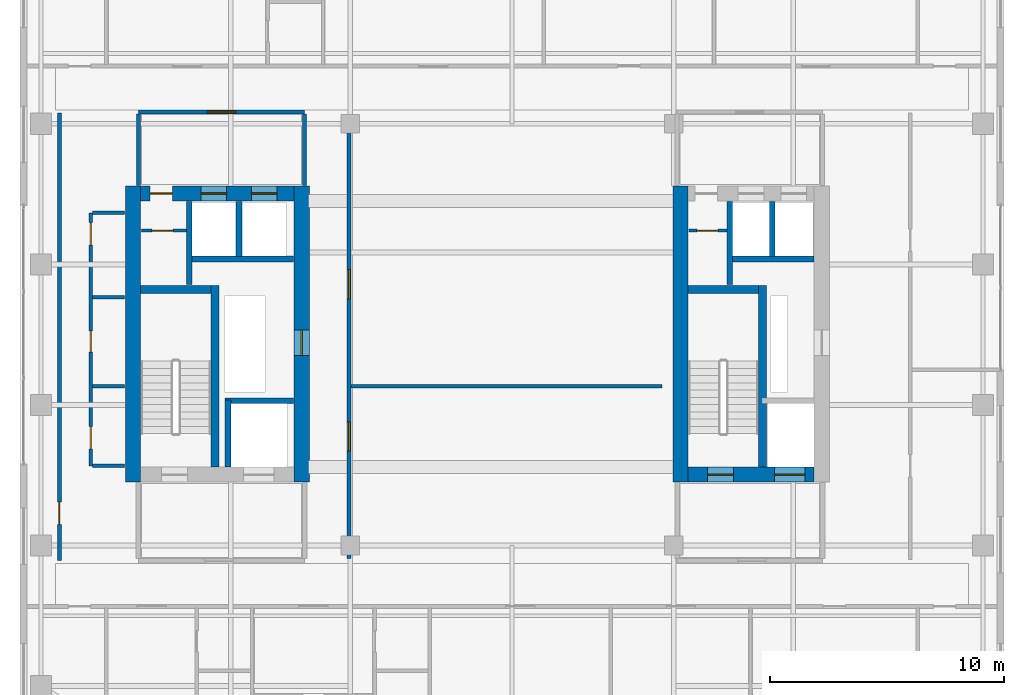
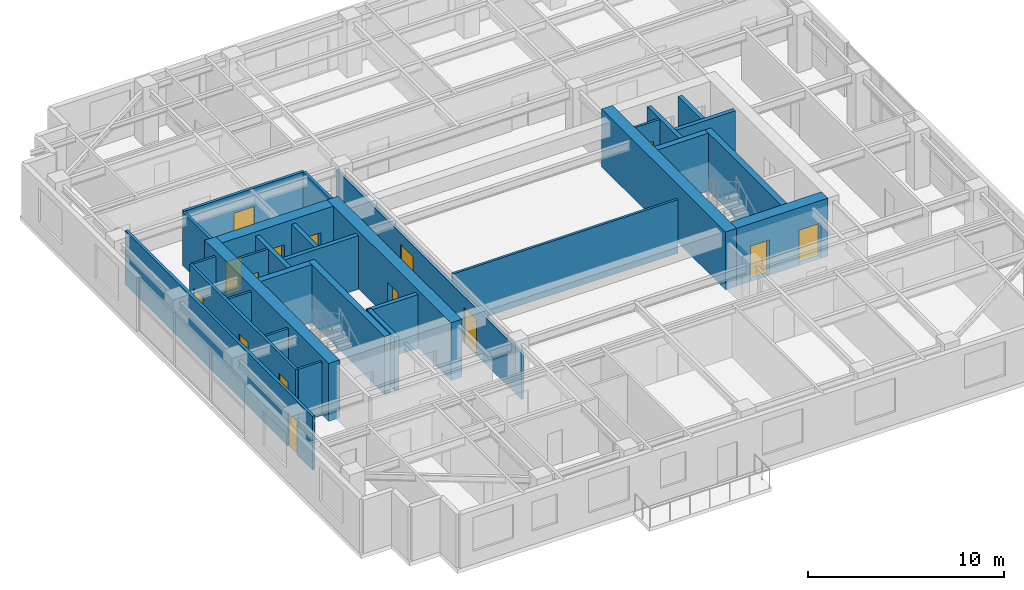
# One storey, part 10 of 15: 30 walls, 15 doors, 15 openings.
"""IFC4 building model written with IfcOpenShell, lengths in metres."""

from ifc_helpers import new_model, si_unit, direction, frame, frame_2d, origin, place, context, subcontext, project, spatial, rectangle, extrude, source, transform, mapped, material, layer, layer_set, type_object, element, fill, save


model = new_model("IFC4")

# Units and contexts
model_context = context("Model", 3, precision=1e-05, world=origin(), true_north=direction((0.0, 1.0)))
body_context = subcontext(model_context, "Body", "Model", "MODEL_VIEW")
ifc_project = project(units=[si_unit("LENGTHUNIT", "METRE"), si_unit("AREAUNIT", "SQUARE_METRE"), si_unit("VOLUMEUNIT", "CUBIC_METRE"), si_unit("PLANEANGLEUNIT", "RADIAN"), si_unit("MASSUNIT", "GRAM", prefix="KILO")], contexts=[model_context])

# Site, building, storey
site_placement = place(None, origin())
site = spatial("IfcSite", under=ifc_project, at=site_placement, CompositionType="ELEMENT")
building_placement = place(site_placement, origin())
building = spatial("IfcBuilding", under=site, at=building_placement, Name="Khoralis Quay Care Tower", CompositionType="ELEMENT")
storey_placement = place(building_placement, frame((0.0, 0.0, 162.89990234375)))
storey = spatial("IfcBuildingStorey", under=building, at=storey_placement, Name="L42", CompositionType="ELEMENT", Elevation=162.89990234375)

# Wall
ifc_material_1 = material(Name="Concrete C65/80", Category="concrete")
ifc_layer_1 = layer(ifc_material_1, 0.64990234375)
ifc_layer_set_1 = layer_set([ifc_layer_1], Name="Concrete C65/80")
wall_type_1 = type_object("IfcWallType", Name="WL-CORE-650", PredefinedType="SHEAR", material=ifc_layer_set_1)
wall_1_placement = place(storey_placement, frame((7.824951171875, 14.699951171875, 0.0), z_axis=(0.0, 0.0, 1.0), x_axis=(0.0, 1.0, 0.0)))
element("IfcWall", 1, at=wall_1_placement, inside=storey, type_object=wall_type_1, Name="L42 WCORE West Shear Wall", PredefinedType="SHEAR", context=body_context, shape_type="SweptSolid", body=[
    extrude(rectangle(XDim=12.650146484375, YDim=0.64990234375, at=frame_2d((6.3251953125, 0.0))), origin(), (0.0, 0.0, 1.0), 3.60009765625),
])

# Wall, opening, door
wall_2_placement = place(storey_placement, frame((15.02490234375, 14.699951171875, 0.0), z_axis=(0.0, 0.0, 1.0), x_axis=(0.0, 1.0, 0.0)))
wall_2 = element("IfcWall", 2, at=wall_2_placement, inside=storey, type_object=wall_type_1, Name="L42 WCORE East Shear Wall", PredefinedType="SHEAR", context=body_context, shape_type="SweptSolid", body=[
    extrude(rectangle(XDim=12.650146484375, YDim=0.64990234375, at=frame_2d((6.3251953125, 0.0))), origin(), (0.0, 0.0, 1.0), 3.60009765625),
])
opening_1_placement = place(wall_2_placement, frame((5.39990234375, 0.0, 0.0)))
opening_1 = element("IfcOpeningElement", 3, at=opening_1_placement, cuts=wall_2, Name="Opening SD1", PredefinedType="OPENING", context=body_context, shape_type="SweptSolid", body=[
    extrude(rectangle(XDim=1.10009765625, YDim=2.199951171875, at=frame_2d((0.550048828125, 1.10009765625))), frame((0.0, 0.3349609375, 0.0), z_axis=(0.0, -1.0, 0.0), x_axis=(1.0, 0.0, 0.0)), (0.0, 0.0, 1.0), 0.669921875),
])
ifc_material_2 = material(Name="Fire-rated painted steel", Category="steel")
door_type_1 = type_object("IfcDoorType", Name="DR-STAIR-1100X2200", OperationType="NOTDEFINED", PredefinedType="DOOR", material=ifc_material_2)
shared_shape_1 = source(origin(), body_context, "Body", "SweptSolid", [
    extrude(rectangle(XDim=1.10009765625, YDim=2.199951171875, at=frame_2d((0.550048828125, 1.10009765625))), frame((0.0, 0.02490234375, 0.0), z_axis=(0.0, -1.0, 0.0), x_axis=(1.0, 0.0, 0.0)), (0.0, 0.0, 1.0), 0.050048828125),
])
door_1_placement = place(opening_1_placement, origin())
door_1 = element("IfcDoor", 4, at=door_1_placement, inside=storey, type_object=door_type_1, Name="L42 West MEP Riser Door", OperationType="SINGLE_SWING_RIGHT", OverallHeight=2.199951171875, OverallWidth=1.10009765625, PredefinedType="DOOR", context=body_context, shape_type="MappedRepresentation", body=[
    mapped(shared_shape_1, transform((0.0, 0.0, 0.0), scale=1.0)),
])
fill(opening_1, door_1)

# Wall, openings, doors
wall_3_placement = place(storey_placement, frame((8.14990234375, 27.02490234375, 0.0), z_axis=(0.0, 0.0, 1.0), x_axis=(1.0, 0.0, 0.0)))
wall_3 = element("IfcWall", 5, at=wall_3_placement, inside=storey, type_object=wall_type_1, Name="L42 WCORE North Shear Wall", PredefinedType="SHEAR", context=body_context, shape_type="SweptSolid", body=[
    extrude(rectangle(XDim=6.550048828125, YDim=0.64990234375, at=frame_2d((3.27490234375, 0.0))), origin(), (0.0, 0.0, 1.0), 3.60009765625),
])
opening_2_placement = place(wall_3_placement, frame((0.39990234375, 0.0, 0.0)))
opening_2 = element("IfcOpeningElement", 6, at=opening_2_placement, cuts=wall_3, Name="Opening ID1", PredefinedType="OPENING", context=body_context, shape_type="SweptSolid", body=[
    extrude(rectangle(XDim=0.949951171875, YDim=2.10009765625, at=frame_2d((0.47509765625, 1.050048828125))), frame((0.0, 0.3349609375, 0.0), z_axis=(0.0, -1.0, 0.0), x_axis=(1.0, 0.0, 0.0)), (0.0, 0.0, 1.0), 0.669921875),
])
opening_3_placement = place(wall_3_placement, frame((2.570068359375, 0.0, 0.0)))
opening_3 = element("IfcOpeningElement", 7, at=opening_3_placement, cuts=wall_3, Name="Opening LD1", PredefinedType="OPENING", context=body_context, shape_type="SweptSolid", body=[
    extrude(rectangle(XDim=1.10009765625, YDim=2.199951171875, at=frame_2d((0.550048828125, 1.10009765625))), frame((0.0, 0.3349609375, 0.0), z_axis=(0.0, -1.0, 0.0), x_axis=(1.0, 0.0, 0.0)), (0.0, 0.0, 1.0), 0.669921875),
])
opening_4_placement = place(wall_3_placement, frame((4.72998046875, 0.0, 0.0)))
opening_4 = element("IfcOpeningElement", 8, at=opening_4_placement, cuts=wall_3, Name="Opening LD1", PredefinedType="OPENING", context=body_context, shape_type="SweptSolid", body=[
    extrude(rectangle(XDim=1.10009765625, YDim=2.199951171875, at=frame_2d((0.550048828125, 1.10009765625))), frame((0.0, 0.3349609375, 0.0), z_axis=(0.0, -1.0, 0.0), x_axis=(1.0, 0.0, 0.0)), (0.0, 0.0, 1.0), 0.669921875),
])
ifc_material_3 = material(Name="Brushed stainless steel", Category="steel")
door_type_2 = type_object("IfcDoorType", Name="DR-LIFT-1100X2200", OperationType="SLIDING_TO_LEFT", PredefinedType="DOOR", material=ifc_material_3)
shared_shape_2 = source(origin(), body_context, "Body", "SweptSolid", [
    extrude(rectangle(XDim=1.10009765625, YDim=2.199951171875, at=frame_2d((0.550048828125, 1.10009765625))), frame((0.0, 0.02490234375, 0.0), z_axis=(0.0, -1.0, 0.0), x_axis=(1.0, 0.0, 0.0)), (0.0, 0.0, 1.0), 0.050048828125),
])
door_2_placement = place(opening_3_placement, origin())
door_2 = element("IfcDoor", 9, at=door_2_placement, inside=storey, type_object=door_type_2, Name="L42 Lift PLM1 Landing Door", OperationType="SLIDING_TO_LEFT", OverallHeight=2.199951171875, OverallWidth=1.10009765625, PredefinedType="DOOR", context=body_context, shape_type="MappedRepresentation", body=[
    mapped(shared_shape_2, transform((0.0, 0.0, 0.0), scale=1.0)),
])
fill(opening_3, door_2)
door_3_placement = place(opening_4_placement, origin())
door_3 = element("IfcDoor", 10, at=door_3_placement, inside=storey, type_object=door_type_2, Name="L42 Lift PLH1 Landing Door", OperationType="SLIDING_TO_LEFT", OverallHeight=2.199951171875, OverallWidth=1.10009765625, PredefinedType="DOOR", context=body_context, shape_type="MappedRepresentation", body=[
    mapped(shared_shape_2, transform((0.0, 0.0, 0.0), scale=1.0)),
])
fill(opening_4, door_3)
ifc_material_4 = material(Name="Acoustic hardwood timber", Category="wood")
door_type_3 = type_object("IfcDoorType", Name="DR-ROOM-950X2100", OperationType="NOTDEFINED", PredefinedType="DOOR", material=ifc_material_4)
shared_shape_3 = source(origin(), body_context, "Body", "SweptSolid", [
    extrude(rectangle(XDim=0.949951171875, YDim=2.10009765625, at=frame_2d((0.47509765625, 1.050048828125))), frame((0.0, 0.02490234375, 0.0), z_axis=(0.0, -1.0, 0.0), x_axis=(1.0, 0.0, 0.0)), (0.0, 0.0, 1.0), 0.050048828125),
])
door_4_placement = place(opening_2_placement, frame((0.949951171875, 0.0, 0.0), z_axis=(0.0, 0.0, 1.0), x_axis=(-1.0, 0.0, 0.0)))
door_4 = element("IfcDoor", 11, at=door_4_placement, inside=storey, type_object=door_type_3, Name="L42 Medication Store Door", OperationType="SINGLE_SWING_RIGHT", OverallHeight=2.10009765625, OverallWidth=0.949951171875, PredefinedType="DOOR", context=body_context, shape_type="MappedRepresentation", body=[
    mapped(shared_shape_3, transform((0.0, 0.0, 0.0), scale=1.0)),
])
fill(opening_2, door_4)

# Wall
wall_4_placement = place(storey_placement, frame((31.195068359375, 14.699951171875, 0.0), z_axis=(0.0, 0.0, 1.0), x_axis=(0.0, 1.0, 0.0)))
element("IfcWall", 12, at=wall_4_placement, inside=storey, type_object=wall_type_1, Name="L42 ECORE West Shear Wall", PredefinedType="SHEAR", context=body_context, shape_type="SweptSolid", body=[
    extrude(rectangle(XDim=12.650146484375, YDim=0.64990234375, at=frame_2d((6.3251953125, 0.0))), origin(), (0.0, 0.0, 1.0), 3.60009765625),
])

# Wall, openings, doors
wall_5_placement = place(storey_placement, frame((31.52001953125, 15.02490234375, 0.0), z_axis=(0.0, 0.0, 1.0), x_axis=(1.0, 0.0, 0.0)))
wall_5 = element("IfcWall", 13, at=wall_5_placement, inside=storey, type_object=wall_type_1, Name="L42 ECORE South Shear Wall", PredefinedType="SHEAR", context=body_context, shape_type="SweptSolid", body=[
    extrude(rectangle(XDim=5.3798828125, YDim=0.64990234375, at=frame_2d((2.68994140625, 0.0))), origin(), (0.0, 0.0, 1.0), 3.60009765625),
])
opening_5_placement = place(wall_5_placement, frame((0.830078125, 0.0, 0.0)))
opening_5 = element("IfcOpeningElement", 14, at=opening_5_placement, cuts=wall_5, Name="Opening SD1", PredefinedType="OPENING", context=body_context, shape_type="SweptSolid", body=[
    extrude(rectangle(XDim=1.10009765625, YDim=2.199951171875, at=frame_2d((0.550048828125, 1.10009765625))), frame((0.0, 0.3349609375, 0.0), z_axis=(0.0, -1.0, 0.0), x_axis=(1.0, 0.0, 0.0)), (0.0, 0.0, 1.0), 0.669921875),
])
opening_6_placement = place(wall_5_placement, frame((3.679931640625, 0.0, 0.0)))
opening_6 = element("IfcOpeningElement", 15, at=opening_6_placement, cuts=wall_5, Name="Opening LD2", PredefinedType="OPENING", context=body_context, shape_type="SweptSolid", body=[
    extrude(rectangle(XDim=1.300048828125, YDim=2.199951171875, at=frame_2d((0.64990234375, 1.10009765625))), frame((0.0, 0.3349609375, 0.0), z_axis=(0.0, -1.0, 0.0), x_axis=(1.0, 0.0, 0.0)), (0.0, 0.0, 1.0), 0.669921875),
])
door_5_placement = place(opening_5_placement, origin())
door_5 = element("IfcDoor", 16, at=door_5_placement, inside=storey, type_object=door_type_1, Name="L42 Stair ST-T2 Fire Door", OperationType="SINGLE_SWING_LEFT", OverallHeight=2.199951171875, OverallWidth=1.10009765625, PredefinedType="DOOR", context=body_context, shape_type="MappedRepresentation", body=[
    mapped(shared_shape_1, transform((0.0, 0.0, 0.0), scale=1.0)),
])
fill(opening_5, door_5)
door_type_4 = type_object("IfcDoorType", Name="DR-LIFT-1300X2200", OperationType="SLIDING_TO_RIGHT", PredefinedType="DOOR", material=ifc_material_3)
shared_shape_4 = source(origin(), body_context, "Body", "SweptSolid", [
    extrude(rectangle(XDim=1.300048828125, YDim=2.199951171875, at=frame_2d((0.64990234375, 1.10009765625))), frame((0.0, 0.02490234375, 0.0), z_axis=(0.0, -1.0, 0.0), x_axis=(1.0, 0.0, 0.0)), (0.0, 0.0, 1.0), 0.050048828125),
])
door_6_placement = place(opening_6_placement, origin())
door_6 = element("IfcDoor", 17, at=door_6_placement, inside=storey, type_object=door_type_4, Name="L42 Firefighting Lift FFL-2 Landing Door", OperationType="SLIDING_TO_RIGHT", OverallHeight=2.199951171875, OverallWidth=1.300048828125, PredefinedType="DOOR", context=body_context, shape_type="MappedRepresentation", body=[
    mapped(shared_shape_4, transform((0.0, 0.0, 0.0), scale=1.0)),
])
fill(opening_6, door_6)

# Wall, opening, door
ifc_material_5 = material(Name="Gypsum plasterboard on acoustic metal stud")
ifc_layer_2 = layer(ifc_material_5, 0.1650390625)
ifc_layer_set_2 = layer_set([ifc_layer_2], Name="Gypsum plasterboard on acoustic metal stud")
wall_type_2 = type_object("IfcWallType", Name="WL-CORR-165", PredefinedType="PARTITIONING", material=ifc_layer_set_2)
wall_6_placement = place(storey_placement, frame((8.050048828125, 30.5, 0.0), z_axis=(0.0, 0.0, 1.0), x_axis=(1.0, 0.0, 0.0)))
wall_6 = element("IfcWall", 18, at=wall_6_placement, inside=storey, type_object=wall_type_2, Name="L42 West Lift Lobby North Wall", PredefinedType="PARTITIONING", context=body_context, shape_type="SweptSolid", body=[
    extrude(rectangle(XDim=7.099853515625, YDim=0.1650390625, at=frame_2d((3.5498046875, 0.0))), origin(), (0.0, 0.0, 1.0), 3.340087890625),
])
opening_7_placement = place(wall_6_placement, frame((2.949951171875, 0.0, 0.0)))
opening_7 = element("IfcOpeningElement", 19, at=opening_7_placement, cuts=wall_6, Name="Opening FD1", PredefinedType="OPENING", context=body_context, shape_type="SweptSolid", body=[
    extrude(rectangle(XDim=1.199951171875, YDim=2.199951171875, at=frame_2d((0.60009765625, 1.10009765625))), frame((0.0, 0.092529296875, 0.0), z_axis=(0.0, -1.0, 0.0), x_axis=(1.0, 0.0, 0.0)), (0.0, 0.0, 1.0), 0.18505859375),
])
door_type_5 = type_object("IfcDoorType", Name="DR-FFL-1200X2200", OperationType="NOTDEFINED", PredefinedType="DOOR", material=ifc_material_2)
shared_shape_5 = source(origin(), body_context, "Body", "SweptSolid", [
    extrude(rectangle(XDim=1.199951171875, YDim=2.199951171875, at=frame_2d((0.60009765625, 1.10009765625))), frame((0.0, 0.02490234375, 0.0), z_axis=(0.0, -1.0, 0.0), x_axis=(1.0, 0.0, 0.0)), (0.0, 0.0, 1.0), 0.050048828125),
])
door_7_placement = place(opening_7_placement, origin())
door_7 = element("IfcDoor", 20, at=door_7_placement, inside=storey, type_object=door_type_5, Name="L42 West Lift Lobby Double Door", OperationType="DOUBLE_DOOR_SINGLE_SWING", OverallHeight=2.199951171875, OverallWidth=1.199951171875, PredefinedType="DOOR", context=body_context, shape_type="MappedRepresentation", body=[
    mapped(shared_shape_5, transform((0.0, 0.0, 0.0), scale=1.0)),
])
fill(opening_7, door_7)

# Walls
for number, where, z_axis, x_axis, name in (
    (21, (8.050048828125, 27.3701171875, 0.0), (0.0, 0.0, 1.0), (0.0, 1.0, 0.0), "L42 West Lift Lobby West Wall"),
    (22, (15.14990234375, 27.3701171875, 0.0), (0.0, 0.0, 1.0), (0.0, 1.0, 0.0), "L42 West Lift Lobby East Wall"),
):
    element("IfcWall", number, at=place(storey_placement, frame(where, z_axis=z_axis, x_axis=x_axis)), inside=storey, type_object=wall_type_2, Name=name, PredefinedType="PARTITIONING", context=body_context, shape_type="SweptSolid", body=[
        extrude(rectangle(XDim=3.052490234375, YDim=0.1650390625, at=frame_2d((1.5263671875, 0.0))), origin(), (0.0, 0.0, 1.0), 3.340087890625),
    ])

# Wall, openings, doors
wall_7_placement = place(storey_placement, frame((6.02001953125, 15.39990234375, 0.0), z_axis=(0.0, 0.0, 1.0), x_axis=(0.0, 1.0, 0.0)))
wall_7 = element("IfcWall", 23, at=wall_7_placement, inside=storey, type_object=wall_type_2, Name="L42 West Core Service Flank Wall", PredefinedType="PARTITIONING", context=body_context, shape_type="SweptSolid", body=[
    extrude(rectangle(XDim=10.800048828125, YDim=0.1650390625, at=frame_2d((5.39990234375, 0.0))), origin(), (0.0, 0.0, 1.0), 3.340087890625),
])
opening_8_placement = place(wall_7_placement, frame((0.72509765625, 0.0, 0.0)))
opening_8 = element("IfcOpeningElement", 24, at=opening_8_placement, cuts=wall_7, Name="Opening ID1", PredefinedType="OPENING", context=body_context, shape_type="SweptSolid", body=[
    extrude(rectangle(XDim=0.949951171875, YDim=2.10009765625, at=frame_2d((0.47509765625, 1.050048828125))), frame((0.0, 0.092529296875, 0.0), z_axis=(0.0, -1.0, 0.0), x_axis=(1.0, 0.0, 0.0)), (0.0, 0.0, 1.0), 0.18505859375),
])
opening_9_placement = place(wall_7_placement, frame((4.85009765625, 0.0, 0.0)))
opening_9 = element("IfcOpeningElement", 25, at=opening_9_placement, cuts=wall_7, Name="Opening WD1", PredefinedType="OPENING", context=body_context, shape_type="SweptSolid", body=[
    extrude(rectangle(XDim=0.89990234375, YDim=2.10009765625, at=frame_2d((0.449951171875, 1.050048828125))), frame((0.0, 0.092529296875, 0.0), z_axis=(0.0, -1.0, 0.0), x_axis=(1.0, 0.0, 0.0)), (0.0, 0.0, 1.0), 0.18505859375),
])
opening_10_placement = place(wall_7_placement, frame((9.425048828125, 0.0, 0.0)))
opening_10 = element("IfcOpeningElement", 26, at=opening_10_placement, cuts=wall_7, Name="Opening ID1", PredefinedType="OPENING", context=body_context, shape_type="SweptSolid", body=[
    extrude(rectangle(XDim=0.949951171875, YDim=2.10009765625, at=frame_2d((0.47509765625, 1.050048828125))), frame((0.0, 0.092529296875, 0.0), z_axis=(0.0, -1.0, 0.0), x_axis=(1.0, 0.0, 0.0)), (0.0, 0.0, 1.0), 0.18505859375),
])
door_type_6 = type_object("IfcDoorType", Name="DR-BATH-900X2100", OperationType="NOTDEFINED", PredefinedType="DOOR", material=ifc_material_4)
shared_shape_6 = source(origin(), body_context, "Body", "SweptSolid", [
    extrude(rectangle(XDim=0.89990234375, YDim=2.10009765625, at=frame_2d((0.449951171875, 1.050048828125))), frame((0.0, 0.02490234375, 0.0), z_axis=(0.0, -1.0, 0.0), x_axis=(1.0, 0.0, 0.0)), (0.0, 0.0, 1.0), 0.050048828125),
])
door_8_placement = place(opening_9_placement, frame((0.89990234375, 0.0, 0.0), z_axis=(0.0, 0.0, 1.0), x_axis=(-1.0, 0.0, 0.0)))
door_8 = element("IfcDoor", 27, at=door_8_placement, inside=storey, type_object=door_type_6, Name="L42 Public Accessible WC Door", OperationType="SINGLE_SWING_RIGHT", OverallHeight=2.10009765625, OverallWidth=0.89990234375, PredefinedType="DOOR", context=body_context, shape_type="MappedRepresentation", body=[
    mapped(shared_shape_6, transform((0.0, 0.0, 0.0), scale=1.0)),
])
fill(opening_9, door_8)
door_9_placement = place(opening_8_placement, frame((0.949951171875, 0.0, 0.0), z_axis=(0.0, 0.0, 1.0), x_axis=(-1.0, 0.0, 0.0)))
door_9 = element("IfcDoor", 28, at=door_9_placement, inside=storey, type_object=door_type_3, Name="L42 Clean Utility Store Door", OperationType="SINGLE_SWING_LEFT", OverallHeight=2.10009765625, OverallWidth=0.949951171875, PredefinedType="DOOR", context=body_context, shape_type="MappedRepresentation", body=[
    mapped(shared_shape_3, transform((0.0, 0.0, 0.0), scale=1.0)),
])
fill(opening_8, door_9)
door_10_placement = place(opening_10_placement, frame((0.949951171875, 0.0, 0.0), z_axis=(0.0, 0.0, 1.0), x_axis=(-1.0, 0.0, 0.0)))
door_10 = element("IfcDoor", 29, at=door_10_placement, inside=storey, type_object=door_type_3, Name="L42 Electrical Switchboard Room Door", OperationType="SINGLE_SWING_LEFT", OverallHeight=2.10009765625, OverallWidth=0.949951171875, PredefinedType="DOOR", context=body_context, shape_type="MappedRepresentation", body=[
    mapped(shared_shape_3, transform((0.0, 0.0, 0.0), scale=1.0)),
])
fill(opening_10, door_10)

wall_8_placement = place(storey_placement, frame((17.050048828125, 11.449951171875, 0.0), z_axis=(0.0, 0.0, 1.0), x_axis=(0.0, 1.0, 0.0)))
wall_8 = element("IfcWall", 30, at=wall_8_placement, inside=storey, type_object=wall_type_2, Name="L42 West Portal Spine Wall", PredefinedType="PARTITIONING", context=body_context, shape_type="SweptSolid", body=[
    extrude(rectangle(XDim=18.900146484375, YDim=0.1650390625, at=frame_2d((9.4501953125, 0.0))), origin(), (0.0, 0.0, 1.0), 2.877197265625),
])
opening_11_placement = place(wall_8_placement, frame((4.574951171875, 0.0, 0.0)))
opening_11 = element("IfcOpeningElement", 31, at=opening_11_placement, cuts=wall_8, Name="Opening CD1", PredefinedType="OPENING", context=body_context, shape_type="SweptSolid", body=[
    extrude(rectangle(XDim=1.25, YDim=2.199951171875, at=frame_2d((0.625, 1.10009765625))), frame((0.0, 0.092529296875, 0.0), z_axis=(0.0, -1.0, 0.0), x_axis=(1.0, 0.0, 0.0)), (0.0, 0.0, 1.0), 0.18505859375),
])
opening_12_placement = place(wall_8_placement, frame((11.074951171875, 0.0, 0.0)))
opening_12 = element("IfcOpeningElement", 32, at=opening_12_placement, cuts=wall_8, Name="Opening CD1", PredefinedType="OPENING", context=body_context, shape_type="SweptSolid", body=[
    extrude(rectangle(XDim=1.25, YDim=2.199951171875, at=frame_2d((0.625, 1.10009765625))), frame((0.0, 0.092529296875, 0.0), z_axis=(0.0, -1.0, 0.0), x_axis=(1.0, 0.0, 0.0)), (0.0, 0.0, 1.0), 0.18505859375),
])
door_type_7 = type_object("IfcDoorType", Name="DR-CARE-1250X2200", OperationType="NOTDEFINED", PredefinedType="DOOR", material=ifc_material_4)
shared_shape_7 = source(origin(), body_context, "Body", "SweptSolid", [
    extrude(rectangle(XDim=1.25, YDim=2.199951171875, at=frame_2d((0.625, 1.10009765625))), frame((0.0, 0.02490234375, 0.0), z_axis=(0.0, -1.0, 0.0), x_axis=(1.0, 0.0, 0.0)), (0.0, 0.0, 1.0), 0.050048828125),
])
door_11_placement = place(opening_11_placement, origin())
door_11 = element("IfcDoor", 33, at=door_11_placement, inside=storey, type_object=door_type_7, Name="L42 Nurse Station Door", OperationType="SINGLE_SWING_LEFT", OverallHeight=2.199951171875, OverallWidth=1.25, PredefinedType="DOOR", context=body_context, shape_type="MappedRepresentation", body=[
    mapped(shared_shape_7, transform((0.0, 0.0, 0.0), scale=1.0)),
])
fill(opening_11, door_11)
door_12_placement = place(opening_12_placement, origin())
door_12 = element("IfcDoor", 34, at=door_12_placement, inside=storey, type_object=door_type_7, Name="L42 Activity Hall Door", OperationType="SINGLE_SWING_RIGHT", OverallHeight=2.199951171875, OverallWidth=1.25, PredefinedType="DOOR", context=body_context, shape_type="MappedRepresentation", body=[
    mapped(shared_shape_7, transform((0.0, 0.0, 0.0), scale=1.0)),
])
fill(opening_12, door_12)

# Wall, opening, door
wall_9_placement = place(storey_placement, frame((4.679931640625, 11.35009765625, 0.0), z_axis=(0.0, 0.0, 1.0), x_axis=(0.0, 1.0, 0.0)))
wall_9 = element("IfcWall", 35, at=wall_9_placement, inside=storey, type_object=wall_type_2, Name="L42 West Sunroom Wall", PredefinedType="PARTITIONING", context=body_context, shape_type="SweptSolid", body=[
    extrude(rectangle(XDim=19.099853515625, YDim=0.1650390625, at=frame_2d((9.5498046875, 0.0))), origin(), (0.0, 0.0, 1.0), 3.340087890625),
])
opening_13_placement = place(wall_9_placement, frame((1.550048828125, 0.0, 0.0)))
opening_13 = element("IfcOpeningElement", 36, at=opening_13_placement, cuts=wall_9, Name="Opening ID1", PredefinedType="OPENING", context=body_context, shape_type="SweptSolid", body=[
    extrude(rectangle(XDim=0.949951171875, YDim=2.10009765625, at=frame_2d((0.47509765625, 1.050048828125))), frame((0.0, 0.092529296875, 0.0), z_axis=(0.0, -1.0, 0.0), x_axis=(1.0, 0.0, 0.0)), (0.0, 0.0, 1.0), 0.18505859375),
])
door_13_placement = place(opening_13_placement, frame((0.949951171875, 0.0, 0.0), z_axis=(0.0, 0.0, 1.0), x_axis=(-1.0, 0.0, 0.0)))
door_13 = element("IfcDoor", 37, at=door_13_placement, inside=storey, type_object=door_type_3, Name="L42 West Sunroom Door", OperationType="SINGLE_SWING_LEFT", OverallHeight=2.10009765625, OverallWidth=0.949951171875, PredefinedType="DOOR", context=body_context, shape_type="MappedRepresentation", body=[
    mapped(shared_shape_3, transform((0.0, 0.0, 0.0), scale=1.0)),
])
fill(opening_13, door_13)

# Walls
ifc_material_6 = material(Name="Moisture-resistant gypsum and ceramic tile")
ifc_layer_3 = layer(ifc_material_6, 0.280029296875)
ifc_layer_set_3 = layer_set([ifc_layer_3], Name="Moisture-resistant gypsum and ceramic tile")
wall_type_3 = type_object("IfcWallType", Name="WL-PLUMB-280", PredefinedType="PLUMBINGWALL", material=ifc_layer_set_3)
wall_10_placement = place(storey_placement, frame((6.097412109375, 18.800048828125, 0.0), z_axis=(0.0, 0.0, 1.0), x_axis=(1.0, 0.0, 0.0)))
element("IfcWall", 38, at=wall_10_placement, inside=storey, type_object=wall_type_3, Name="L42 West Flank Divider 1", PredefinedType="PLUMBINGWALL", context=body_context, shape_type="SweptSolid", body=[
    extrude(rectangle(XDim=1.362548828125, YDim=0.139892578125, at=frame_2d((0.68115234375, 0.0))), origin(), (0.0, 0.0, 1.0), 3.340087890625),
])
ifc_material_7 = material(Name="Concrete C40/50", Category="concrete")
ifc_layer_4 = layer(ifc_material_7, 0.35009765625)
ifc_layer_set_4 = layer_set([ifc_layer_4], Name="Concrete C40/50")
wall_type_4 = type_object("IfcWallType", Name="WL-SC-CORE-350", PredefinedType="SHEAR", material=ifc_layer_set_4)
wall_11_placement = place(storey_placement, frame((11.324951171875, 15.35009765625, 0.0), z_axis=(0.0, 0.0, 1.0), x_axis=(0.0, 1.0, 0.0)))
element("IfcWall", 39, at=wall_11_placement, inside=storey, type_object=wall_type_4, Name="L42 Stair ST-T1 Shear Baffle Wall East", PredefinedType="SHEAR", context=body_context, shape_type="SweptSolid", body=[
    extrude(rectangle(XDim=7.75, YDim=0.35009765625, at=frame_2d((3.875, 0.0))), origin(), (0.0, 0.0, 1.0), 3.60009765625),
])
wall_12_placement = place(storey_placement, frame((8.14990234375, 22.925048828125, 0.0), z_axis=(0.0, 0.0, 1.0), x_axis=(1.0, 0.0, 0.0)))
element("IfcWall", 40, at=wall_12_placement, inside=storey, type_object=wall_type_4, Name="L42 Stair ST-T1 Shear Baffle Wall North", PredefinedType="SHEAR", context=body_context, shape_type="SweptSolid", body=[
    extrude(rectangle(XDim=3.0, YDim=0.35009765625, at=frame_2d((1.5, 0.0))), origin(), (0.0, 0.0, 1.0), 3.60009765625),
])
wall_13_placement = place(storey_placement, frame((34.695068359375, 15.35009765625, 0.0), z_axis=(0.0, 0.0, 1.0), x_axis=(0.0, 1.0, 0.0)))
element("IfcWall", 41, at=wall_13_placement, inside=storey, type_object=wall_type_4, Name="L42 Stair ST-T2 Shear Baffle Wall East", PredefinedType="SHEAR", context=body_context, shape_type="SweptSolid", body=[
    extrude(rectangle(XDim=7.75, YDim=0.35009765625, at=frame_2d((3.875, 0.0))), origin(), (0.0, 0.0, 1.0), 3.60009765625),
])
wall_14_placement = place(storey_placement, frame((31.52001953125, 22.925048828125, 0.0), z_axis=(0.0, 0.0, 1.0), x_axis=(1.0, 0.0, 0.0)))
element("IfcWall", 42, at=wall_14_placement, inside=storey, type_object=wall_type_4, Name="L42 Stair ST-T2 Shear Baffle Wall North", PredefinedType="SHEAR", context=body_context, shape_type="SweptSolid", body=[
    extrude(rectangle(XDim=3.0, YDim=0.35009765625, at=frame_2d((1.5, 0.0))), origin(), (0.0, 0.0, 1.0), 3.60009765625),
])
ifc_layer_5 = layer(ifc_material_5, 0.239990234375)
ifc_layer_set_5 = layer_set([ifc_layer_5], Name="Gypsum plasterboard on acoustic metal stud")
wall_type_5 = type_object("IfcWallType", Name="WL-SHAFT-240", PredefinedType="PARTITIONING", material=ifc_layer_set_5)
wall_15_placement = place(storey_placement, frame((11.8798828125, 15.35009765625, 0.0), z_axis=(0.0, 0.0, 1.0), x_axis=(0.0, 1.0, 0.0)))
element("IfcWall", 43, at=wall_15_placement, inside=storey, type_object=wall_type_5, Name="L42 FFL-1 Shaft Wall West", PredefinedType="PARTITIONING", context=body_context, shape_type="SweptSolid", body=[
    extrude(rectangle(XDim=2.849853515625, YDim=0.239990234375, at=frame_2d((1.4248046875, 0.0))), origin(), (0.0, 0.0, 1.0), 3.340087890625),
])
wall_16_placement = place(storey_placement, frame((11.760009765625, 18.169921875, 0.0), z_axis=(0.0, 0.0, 1.0), x_axis=(1.0, 0.0, 0.0)))
element("IfcWall", 44, at=wall_16_placement, inside=storey, type_object=wall_type_5, Name="L42 FFL-1 Shaft Wall North", PredefinedType="PARTITIONING", context=body_context, shape_type="SweptSolid", body=[
    extrude(rectangle(XDim=2.919921875, YDim=0.239990234375, at=frame_2d((1.4599609375, 0.0))), origin(), (0.0, 0.0, 1.0), 3.340087890625),
])
wall_17_placement = place(storey_placement, frame((10.219970703125, 23.139892578125, 0.0), z_axis=(0.0, 0.0, 1.0), x_axis=(0.0, 1.0, 0.0)))
element("IfcWall", 45, at=wall_17_placement, inside=storey, type_object=wall_type_5, Name="L42 Reclaimed Bay Divider West", PredefinedType="PARTITIONING", context=body_context, shape_type="SweptSolid", body=[
    extrude(rectangle(XDim=3.5400390625, YDim=0.239990234375, at=frame_2d((1.77001953125, 0.0))), origin(), (0.0, 0.0, 1.0), 3.340087890625),
])
wall_18_placement = place(storey_placement, frame((10.3349609375, 24.22998046875, 0.0), z_axis=(0.0, 0.0, 1.0), x_axis=(1.0, 0.0, 0.0)))
element("IfcWall", 46, at=wall_18_placement, inside=storey, type_object=wall_type_5, Name="L42 Active Shaft South Wall West", PredefinedType="PARTITIONING", context=body_context, shape_type="SweptSolid", body=[
    extrude(rectangle(XDim=4.344970703125, YDim=0.239990234375, at=frame_2d((2.17236328125, 0.0))), origin(), (0.0, 0.0, 1.0), 3.340087890625),
])
wall_19_placement = place(storey_placement, frame((12.35009765625, 24.344970703125, 0.0), z_axis=(0.0, 0.0, 1.0), x_axis=(0.0, 1.0, 0.0)))
element("IfcWall", 47, at=wall_19_placement, inside=storey, type_object=wall_type_5, Name="L42 West Shaft Divider 2", PredefinedType="PARTITIONING", context=body_context, shape_type="SweptSolid", body=[
    extrude(rectangle(XDim=2.3349609375, YDim=0.239990234375, at=frame_2d((1.16748046875, 0.0))), origin(), (0.0, 0.0, 1.0), 3.340087890625),
])
wall_20_placement = place(storey_placement, frame((33.2900390625, 23.139892578125, 0.0), z_axis=(0.0, 0.0, 1.0), x_axis=(0.0, 1.0, 0.0)))
element("IfcWall", 48, at=wall_20_placement, inside=storey, type_object=wall_type_5, Name="L42 Reclaimed Bay Divider East", PredefinedType="PARTITIONING", context=body_context, shape_type="SweptSolid", body=[
    extrude(rectangle(XDim=3.5400390625, YDim=0.239990234375, at=frame_2d((1.77001953125, 0.0))), origin(), (0.0, 0.0, 1.0), 3.340087890625),
])
wall_21_placement = place(storey_placement, frame((33.405029296875, 24.22998046875, 0.0), z_axis=(0.0, 0.0, 1.0), x_axis=(1.0, 0.0, 0.0)))
element("IfcWall", 49, at=wall_21_placement, inside=storey, type_object=wall_type_5, Name="L42 Active Shaft South Wall East", PredefinedType="PARTITIONING", context=body_context, shape_type="SweptSolid", body=[
    extrude(rectangle(XDim=3.474853515625, YDim=0.239990234375, at=frame_2d((1.7373046875, 0.0))), origin(), (0.0, 0.0, 1.0), 3.340087890625),
])
wall_22_placement = place(storey_placement, frame((35.110107421875, 24.344970703125, 0.0), z_axis=(0.0, 0.0, 1.0), x_axis=(0.0, 1.0, 0.0)))
element("IfcWall", 50, at=wall_22_placement, inside=storey, type_object=wall_type_5, Name="L42 East Shaft Divider 2", PredefinedType="PARTITIONING", context=body_context, shape_type="SweptSolid", body=[
    extrude(rectangle(XDim=2.3349609375, YDim=0.239990234375, at=frame_2d((1.16748046875, 0.0))), origin(), (0.0, 0.0, 1.0), 3.340087890625),
])

# Wall, opening, door
ifc_layer_6 = layer(ifc_material_5, 0.139892578125)
ifc_layer_set_6 = layer_set([ifc_layer_6], Name="Gypsum plasterboard on acoustic metal stud")
wall_type_6 = type_object("IfcWallType", Name="WL-UNIT-140", PredefinedType="PARTITIONING", material=ifc_layer_set_6)
wall_23_placement = place(storey_placement, frame((8.179931640625, 25.43994140625, 0.0), z_axis=(0.0, 0.0, 1.0), x_axis=(1.0, 0.0, 0.0)))
wall_23 = element("IfcWall", 51, at=wall_23_placement, inside=storey, type_object=wall_type_6, Name="L42 West Reclaimed Split Wall", PredefinedType="PARTITIONING", context=body_context, shape_type="SweptSolid", body=[
    extrude(rectangle(XDim=1.925048828125, YDim=0.139892578125, at=frame_2d((0.96240234375, 0.0))), origin(), (0.0, 0.0, 1.0), 3.340087890625),
])
opening_14_placement = place(wall_23_placement, frame((0.449951171875, 0.0, 0.0)))
opening_14 = element("IfcOpeningElement", 52, at=opening_14_placement, cuts=wall_23, Name="Opening WD1", PredefinedType="OPENING", context=body_context, shape_type="SweptSolid", body=[
    extrude(rectangle(XDim=0.89990234375, YDim=2.10009765625, at=frame_2d((0.449951171875, 1.050048828125))), frame((0.0, 0.080078125, 0.0), z_axis=(0.0, -1.0, 0.0), x_axis=(1.0, 0.0, 0.0)), (0.0, 0.0, 1.0), 0.159912109375),
])
door_14_placement = place(opening_14_placement, frame((0.89990234375, 0.0, 0.0), z_axis=(0.0, 0.0, 1.0), x_axis=(-1.0, 0.0, 0.0)))
door_14 = element("IfcDoor", 53, at=door_14_placement, inside=storey, type_object=door_type_6, Name="L42 Clean Linen Store Door", OperationType="SINGLE_SWING_RIGHT", OverallHeight=2.10009765625, OverallWidth=0.89990234375, PredefinedType="DOOR", context=body_context, shape_type="MappedRepresentation", body=[
    mapped(shared_shape_6, transform((0.0, 0.0, 0.0), scale=1.0)),
])
fill(opening_14, door_14)

wall_24_placement = place(storey_placement, frame((31.550048828125, 25.43994140625, 0.0), z_axis=(0.0, 0.0, 1.0), x_axis=(1.0, 0.0, 0.0)))
wall_24 = element("IfcWall", 54, at=wall_24_placement, inside=storey, type_object=wall_type_6, Name="L42 East Reclaimed Split Wall", PredefinedType="PARTITIONING", context=body_context, shape_type="SweptSolid", body=[
    extrude(rectangle(XDim=1.625, YDim=0.139892578125, at=frame_2d((0.8125, 0.0))), origin(), (0.0, 0.0, 1.0), 3.340087890625),
])
opening_15_placement = place(wall_24_placement, frame((0.340087890625, 0.0, 0.0)))
opening_15 = element("IfcOpeningElement", 55, at=opening_15_placement, cuts=wall_24, Name="Opening WD1", PredefinedType="OPENING", context=body_context, shape_type="SweptSolid", body=[
    extrude(rectangle(XDim=0.89990234375, YDim=2.10009765625, at=frame_2d((0.449951171875, 1.050048828125))), frame((0.0, 0.080078125, 0.0), z_axis=(0.0, -1.0, 0.0), x_axis=(1.0, 0.0, 0.0)), (0.0, 0.0, 1.0), 0.159912109375),
])
door_15_placement = place(opening_15_placement, frame((0.89990234375, 0.0, 0.0), z_axis=(0.0, 0.0, 1.0), x_axis=(-1.0, 0.0, 0.0)))
door_15 = element("IfcDoor", 56, at=door_15_placement, inside=storey, type_object=door_type_6, Name="L42 Sterile Store Door", OperationType="SINGLE_SWING_LEFT", OverallHeight=2.10009765625, OverallWidth=0.89990234375, PredefinedType="DOOR", context=body_context, shape_type="MappedRepresentation", body=[
    mapped(shared_shape_6, transform((0.0, 0.0, 0.0), scale=1.0)),
])
fill(opening_15, door_15)

# Walls
for number, where, z_axis, x_axis, name in (
    (57, (6.097412109375, 15.39990234375, 0.0), (0.0, 0.0, 1.0), (1.0, 0.0, 0.0), "L42 West Flank South Cap"),
    (58, (6.097412109375, 26.199951171875, 0.0), (0.0, 0.0, 1.0), (1.0, 0.0, 0.0), "L42 West Flank North Cap"),
    (59, (6.097412109375, 22.60009765625, 0.0), (0.0, 0.0, 1.0), (1.0, 0.0, 0.0), "L42 West Flank Divider 2"),
):
    element("IfcWall", number, at=place(storey_placement, frame(where, z_axis=z_axis, x_axis=x_axis)), inside=storey, type_object=wall_type_6, Name=name, PredefinedType="PARTITIONING", context=body_context, shape_type="SweptSolid", body=[
        extrude(rectangle(XDim=1.362548828125, YDim=0.139892578125, at=frame_2d((0.68115234375, 0.0))), origin(), (0.0, 0.0, 1.0), 3.340087890625),
    ])
wall_25_placement = place(storey_placement, frame((17.12744140625, 18.800048828125, 0.0), z_axis=(0.0, 0.0, 1.0), x_axis=(1.0, 0.0, 0.0)))
element("IfcWall", 60, at=wall_25_placement, inside=storey, type_object=wall_type_6, Name="L42 Central Split", PredefinedType="PARTITIONING", context=body_context, shape_type="SweptSolid", body=[
    extrude(rectangle(XDim=13.2724609375, YDim=0.139892578125, at=frame_2d((6.63623046875, 0.0))), origin(), (0.0, 0.0, 1.0), 3.340087890625),
])

save(model, "model.ifc")
